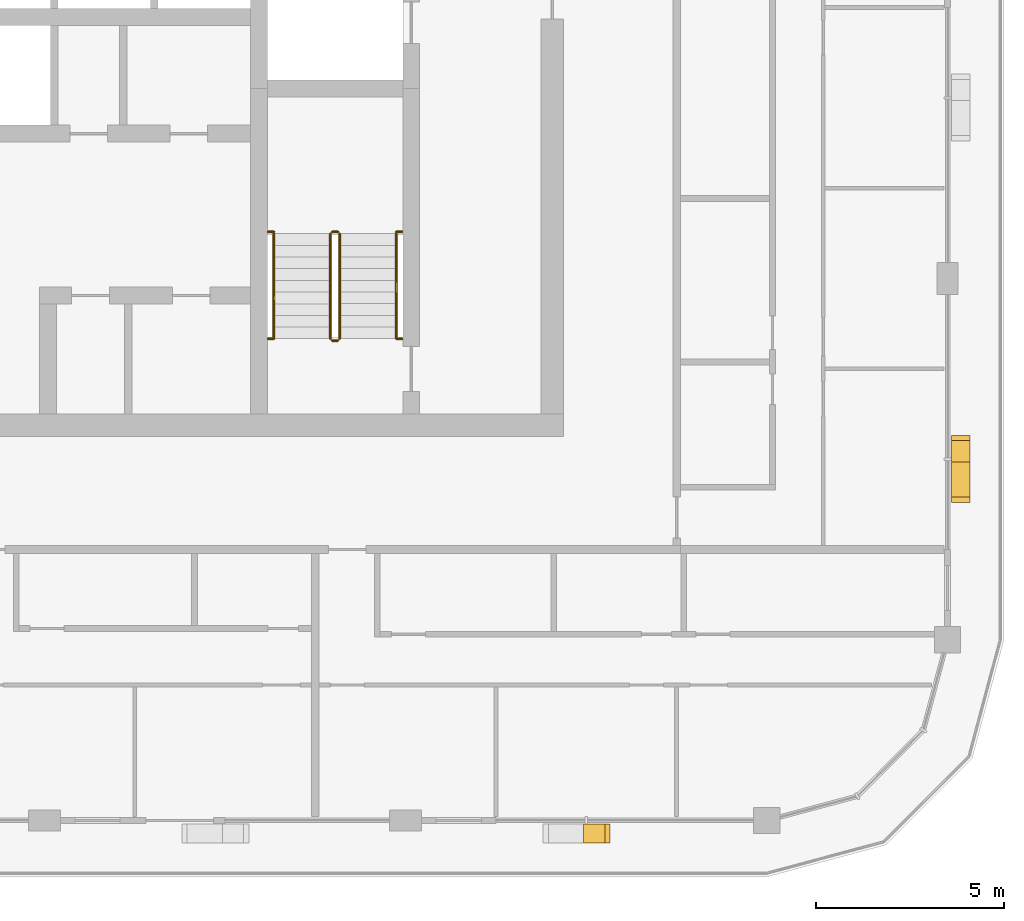
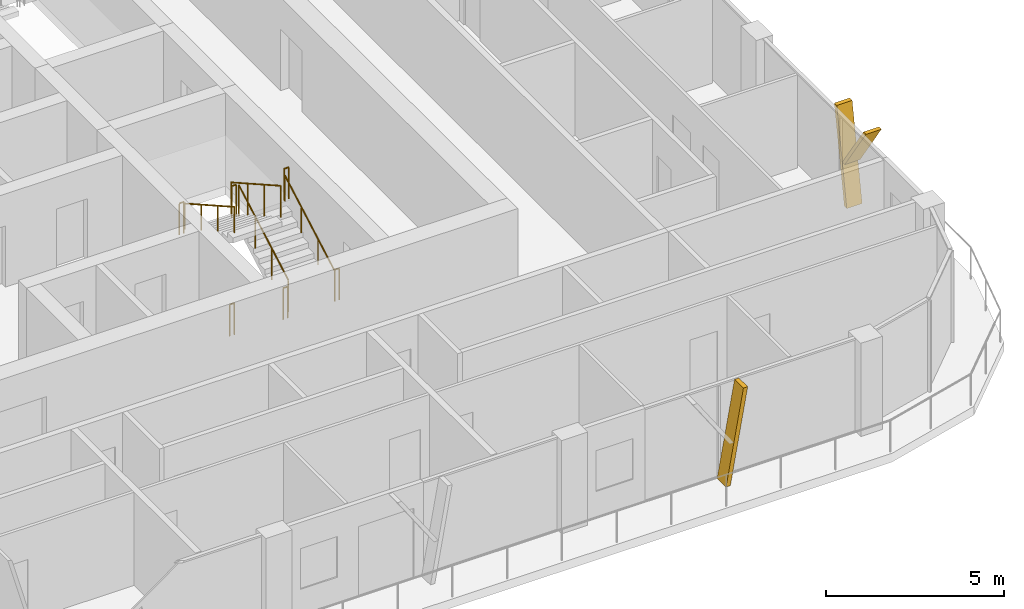
# One storey, part 18 of 21: 10 railings, 3 shading devices.
"""IFC4 building model written with IfcOpenShell, lengths in metres."""

from ifc_helpers import new_model, si_unit, direction, frame, origin, origin_2d, place, context, subcontext, project, spatial, polyline, circle, outline, extrude, material, type_object, element, save


model = new_model("IFC4")

# Units and contexts
model_context = context("Model", 3, precision=1e-05, world=origin(), true_north=direction((0.0, 1.0)))
body_context = subcontext(model_context, "Body", "Model", "MODEL_VIEW")
ifc_project = project(units=[si_unit("LENGTHUNIT", "METRE"), si_unit("AREAUNIT", "SQUARE_METRE"), si_unit("VOLUMEUNIT", "CUBIC_METRE"), si_unit("PLANEANGLEUNIT", "RADIAN"), si_unit("MASSUNIT", "GRAM", prefix="KILO")], contexts=[model_context])

# Site, building, storey
site_placement = place(None, origin())
site = spatial("IfcSite", under=ifc_project, at=site_placement, CompositionType="ELEMENT")
building_placement = place(site_placement, origin())
building = spatial("IfcBuilding", under=site, at=building_placement, Name="Madar Terraces", CompositionType="ELEMENT")
storey_placement = place(building_placement, frame((0.0, 0.0, 245.699951171875)))
storey = spatial("IfcBuildingStorey", under=building, at=storey_placement, Name="L64", CompositionType="ELEMENT", Elevation=245.699951171875)

# Shading devices
ifc_material_1 = material(Name="Aluminium, black anodised", Category="aluminium")
shading_device_type = type_object("IfcShadingDeviceType", Name="Facade fin blade 140 x 500", PredefinedType="USERDEFINED", material=ifc_material_1)
shading_device_1_placement = place(storey_placement, frame((47.929931640625, 4.449951171875, 0.0), z_axis=(0.0, 0.0, 1.0), x_axis=(1.0, 0.0, 0.0)))
element("IfcShadingDevice", 1, at=shading_device_1_placement, inside=storey, type_object=shading_device_type, Name="FIN L64 S5", ObjectType="FIN", PredefinedType="USERDEFINED", context=body_context, shape_type="SweptSolid", body=[
    extrude(outline(polyline([(0.0, 0.0), (0.14013671875, 0.0), (0.704345703125, 3.199951171875), (0.564208984375, 3.199951171875), (0.0, 0.0)])), frame((0.0, 0.25, 0.0), z_axis=(0.0, -1.0, 0.0), x_axis=(1.0, 0.0, 0.0)), (0.0, 0.0, 1.0), 0.5),
])
shading_device_2_placement = place(storey_placement, frame((57.949951171875, 14.330078125, 0.0), z_axis=(0.0, 0.0, 1.0), x_axis=(0.0, 1.0, 0.0)))
element("IfcShadingDevice", 2, at=shading_device_2_placement, inside=storey, type_object=shading_device_type, Name="FIN L64 E1", ObjectType="FIN", PredefinedType="USERDEFINED", context=body_context, shape_type="SweptSolid", body=[
    extrude(outline(polyline([(0.0, 0.0), (0.139892578125, 0.0), (0.704345703125, 3.199951171875), (0.564208984375, 3.199951171875), (0.0, 0.0)])), frame((0.0, 0.25, 0.0), z_axis=(0.0, -1.0, 0.0), x_axis=(1.0, 0.0, 0.0)), (0.0, 0.0, 1.0), 0.5),
])
shading_device_3_placement = place(storey_placement, frame((57.949951171875, 14.44384765625, 1.43994140625), z_axis=(0.0, 0.0, 1.0), x_axis=(0.0, 1.0, 0.0)))
element("IfcShadingDevice", 3, at=shading_device_3_placement, inside=storey, type_object=shading_device_type, Name="FIN L64 E1 branch", ObjectType="FIN", PredefinedType="USERDEFINED", context=body_context, shape_type="SweptSolid", body=[
    extrude(outline(polyline([(0.0, 0.0), (0.14013671875, 0.0), (-1.049560546875, 1.760009765625), (-1.189697265625, 1.760009765625), (0.0, 0.0)])), frame((0.0, 0.25, 0.0), z_axis=(0.0, -1.0, 0.0), x_axis=(1.0, 0.0, 0.0)), (0.0, 0.0, 1.0), 0.5),
])

# Railings
ifc_material_2 = material(Name="Stainless steel railing", Category="steel")
railing_type_1 = type_object("IfcRailingType", Name="Stair guard 1100", PredefinedType="GUARDRAIL", material=ifc_material_2)
railing_1_placement = place(storey_placement, frame((41.449951171875, 17.60009765625, 0.175048828125)))
element("IfcRailing", 4, at=railing_1_placement, inside=storey, type_object=railing_type_1, Name="L64 ST3 stair guard 1", PredefinedType="GUARDRAIL", context=body_context, shape_type="SweptSolid", body=[
    extrude(circle(Radius=0.02392578125, at=origin_2d()), frame((0.0, 0.0, 1.076171875), z_axis=(0.0, 0.870815363784, 0.491610213684), x_axis=(-1.0, 0.0, 0.0)), (0.0, 0.0, 1.0), 3.20361328125),
    extrude(circle(Radius=0.02099609375, at=origin_2d()), origin(), (0.0, 0.0, 1.0), 1.052001953125),
    extrude(circle(Radius=0.02099609375, at=origin_2d()), frame((0.0, 0.929931640625, 0.52490234375)), (0.0, 0.0, 1.0), 1.052001953125),
    extrude(circle(Radius=0.02099609375, at=origin_2d()), frame((0.0, 1.85986328125, 1.050048828125)), (0.0, 0.0, 1.0), 1.052001953125),
    extrude(circle(Radius=0.02099609375, at=origin_2d()), frame((0.0, 2.789794921875, 1.574951171875)), (0.0, 0.0, 1.0), 1.052001953125),
])
railing_2_placement = place(storey_placement, frame((41.39990234375, 20.43994140625, 1.75)))
element("IfcRailing", 5, at=railing_2_placement, inside=storey, type_object=railing_type_1, Name="L64 ST3 stair guard 2", PredefinedType="GUARDRAIL", context=body_context, shape_type="SweptSolid", body=[
    extrude(circle(Radius=0.02392578125, at=origin_2d()), frame((0.0, 0.0, 1.076171875), z_axis=(-1.0, 0.0, 0.0), x_axis=(0.0, -1.0, 0.0)), (0.0, 0.0, 1.0), 0.14990234375),
    extrude(circle(Radius=0.02099609375, at=origin_2d()), origin(), (0.0, 0.0, 1.0), 1.052001953125),
    extrude(circle(Radius=0.02099609375, at=origin_2d()), frame((-0.14990234375, 0.0, 0.0)), (0.0, 0.0, 1.0), 1.052001953125),
])
railing_3_placement = place(storey_placement, frame((41.199951171875, 20.389892578125, 1.925048828125)))
element("IfcRailing", 6, at=railing_3_placement, inside=storey, type_object=railing_type_1, Name="L64 ST3 stair guard 3", PredefinedType="GUARDRAIL", context=body_context, shape_type="SweptSolid", body=[
    extrude(circle(Radius=0.02392578125, at=origin_2d()), frame((0.0, 0.0, 1.076171875), z_axis=(0.0, -0.870815363784, 0.491610213684), x_axis=(1.0, 0.0, 0.0)), (0.0, 0.0, 1.0), 3.20361328125),
    extrude(circle(Radius=0.02099609375, at=origin_2d()), origin(), (0.0, 0.0, 1.0), 1.052001953125),
    extrude(circle(Radius=0.02099609375, at=origin_2d()), frame((0.0, -0.929931640625, 0.52490234375)), (0.0, 0.0, 1.0), 1.052001953125),
    extrude(circle(Radius=0.02099609375, at=origin_2d()), frame((0.0, -1.85986328125, 1.050048828125)), (0.0, 0.0, 1.0), 1.052001953125),
    extrude(circle(Radius=0.02099609375, at=origin_2d()), frame((0.0, -2.789794921875, 1.574951171875)), (0.0, 0.0, 1.0), 1.052001953125),
])
railing_4_placement = place(storey_placement, frame((41.39990234375, 17.550048828125, 0.0)))
element("IfcRailing", 7, at=railing_4_placement, inside=storey, type_object=railing_type_1, Name="L64 ST3 stair guard 4", PredefinedType="GUARDRAIL", context=body_context, shape_type="SweptSolid", body=[
    extrude(circle(Radius=0.02392578125, at=origin_2d()), frame((0.0, 0.0, 1.076171875), z_axis=(-1.0, 0.0, 0.0), x_axis=(0.0, -1.0, 0.0)), (0.0, 0.0, 1.0), 0.14990234375),
    extrude(circle(Radius=0.02099609375, at=origin_2d()), origin(), (0.0, 0.0, 1.0), 1.052001953125),
    extrude(circle(Radius=0.02099609375, at=origin_2d()), frame((-0.14990234375, 0.0, 0.0)), (0.0, 0.0, 1.0), 1.052001953125),
])
for number, where, name in (
    (8, (39.544921875, 20.43994140625, 1.75), "L64 stair guard seat 1"),
    (9, (42.949951171875, 20.43994140625, 1.75), "L64 stair guard seat 2"),
    (10, (39.544921875, 17.60009765625, 0.0), "L64 stair guard floor 1"),
    (11, (42.949951171875, 17.60009765625, 0.0), "L64 stair guard floor 2"),
):
    element("IfcRailing", number, at=place(storey_placement, frame(where)), inside=storey, type_object=railing_type_1, Name=name, PredefinedType="GUARDRAIL", context=body_context, shape_type="SweptSolid", body=[
        extrude(circle(Radius=0.02392578125, at=origin_2d()), frame((0.0, 0.0, 1.076171875), z_axis=(1.0, 0.0, 0.0), x_axis=(0.0, 1.0, 0.0)), (0.0, 0.0, 1.0), 0.155029296875),
        extrude(circle(Radius=0.02099609375, at=origin_2d()), origin(), (0.0, 0.0, 1.0), 1.052001953125),
        extrude(circle(Radius=0.02099609375, at=origin_2d()), frame((0.155029296875, 0.0, 0.0)), (0.0, 0.0, 1.0), 1.052001953125),
    ])
ifc_material_3 = material(Name="Stainless steel railing", Category="steel")
railing_type_2 = type_object("IfcRailingType", Name="Stair handrail 900", PredefinedType="HANDRAIL", material=ifc_material_3)
railing_5_placement = place(storey_placement, frame((42.949951171875, 17.60009765625, 0.175048828125)))
element("IfcRailing", 12, at=railing_5_placement, inside=storey, type_object=railing_type_2, Name="L64 ST3 stair handrail 1", PredefinedType="HANDRAIL", context=body_context, shape_type="SweptSolid", body=[
    extrude(circle(Radius=0.02392578125, at=origin_2d()), frame((0.0, 0.0, 0.8759765625), z_axis=(0.0, 0.870815363784, 0.491610213684), x_axis=(-1.0, 0.0, 0.0)), (0.0, 0.0, 1.0), 3.20361328125),
    extrude(circle(Radius=0.02099609375, at=origin_2d()), origin(), (0.0, 0.0, 1.0), 0.851806640625),
    extrude(circle(Radius=0.02099609375, at=origin_2d()), frame((0.0, 0.929931640625, 0.52490234375)), (0.0, 0.0, 1.0), 0.851806640625),
    extrude(circle(Radius=0.02099609375, at=origin_2d()), frame((0.0, 1.85986328125, 1.050048828125)), (0.0, 0.0, 1.0), 0.851806640625),
    extrude(circle(Radius=0.02099609375, at=origin_2d()), frame((0.0, 2.789794921875, 1.574951171875)), (0.0, 0.0, 1.0), 0.851806640625),
])
railing_6_placement = place(storey_placement, frame((39.699951171875, 20.389892578125, 1.925048828125)))
element("IfcRailing", 13, at=railing_6_placement, inside=storey, type_object=railing_type_2, Name="L64 ST3 stair handrail 2", PredefinedType="HANDRAIL", context=body_context, shape_type="SweptSolid", body=[
    extrude(circle(Radius=0.02392578125, at=origin_2d()), frame((0.0, 0.0, 0.8759765625), z_axis=(0.0, -0.870815363784, 0.491610213684), x_axis=(1.0, 0.0, 0.0)), (0.0, 0.0, 1.0), 3.20361328125),
    extrude(circle(Radius=0.02099609375, at=origin_2d()), origin(), (0.0, 0.0, 1.0), 0.851806640625),
    extrude(circle(Radius=0.02099609375, at=origin_2d()), frame((0.0, -0.929931640625, 0.52490234375)), (0.0, 0.0, 1.0), 0.851806640625),
    extrude(circle(Radius=0.02099609375, at=origin_2d()), frame((0.0, -1.85986328125, 1.050048828125)), (0.0, 0.0, 1.0), 0.851806640625),
    extrude(circle(Radius=0.02099609375, at=origin_2d()), frame((0.0, -2.789794921875, 1.574951171875)), (0.0, 0.0, 1.0), 0.851806640625),
])

save(model, "model.ifc")
